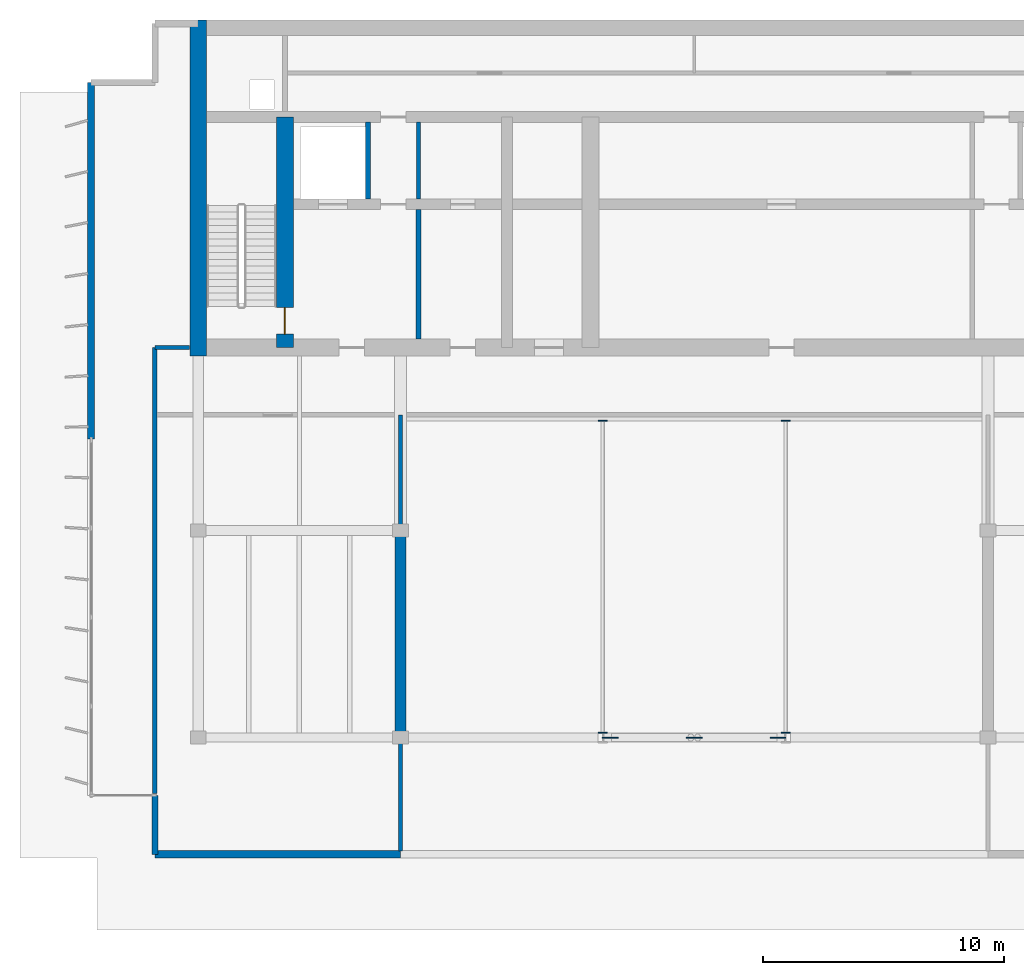
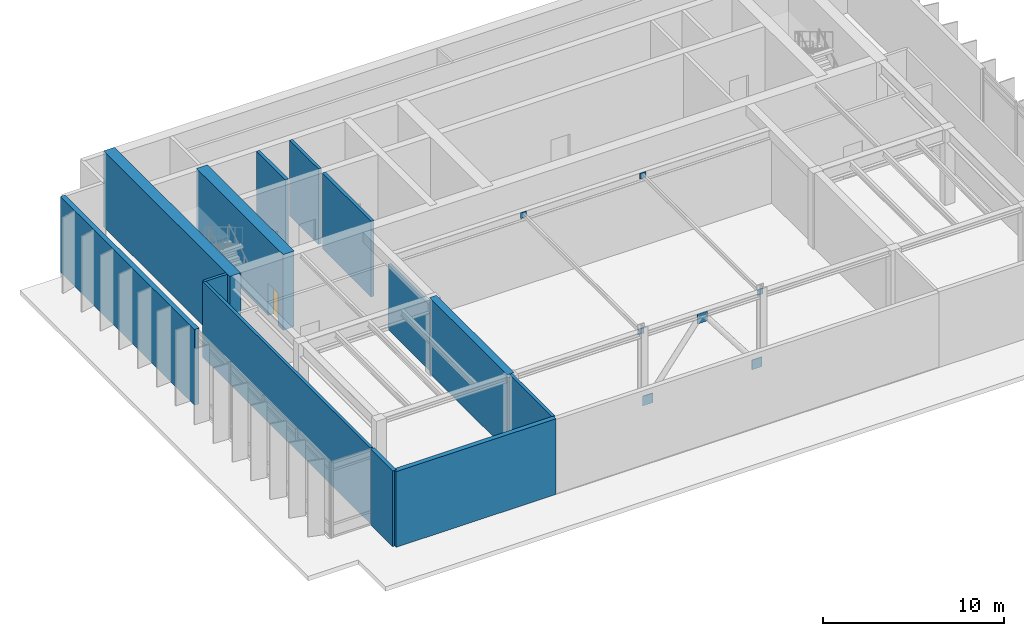
# One storey, part 5 of 10: 13 walls, 7 plates, 1 door, 1 opening.
"""IFC4 building model written with IfcOpenShell, lengths in metres."""

import ifcopenshell
import ifcopenshell.guid

model = None  # the IFC model being written
_history = None  # IfcOwnerHistory: only IFC2X3 demands one
_inside = {}  # id of a spatial element -> (the spatial element, [elements in it])
_under = {}  # id of a project, library or spatial element -> (it, [spatial elements below it])
_declared = {}  # id of a project -> (the project, [libraries it declares])
_typed = {}  # id of a type object -> (the type object, [elements of that type])
_made_of = {}  # id of a material, layer set ... -> (it, [elements and type objects made of it])


def new_model(schema):
    """Start an empty IFC model of exactly this schema.

    Asked for "IFC4X3", IfcOpenShell would pick the latest addendum, in which some entities
    have other attributes; the version numbers below select the first issue.
    IFC2X3 requires an IfcOwnerHistory on every rooted entity: one is made here for all.
    """
    global model, _history
    if schema == "IFC4X3":
        model = ifcopenshell.file(schema_version=(4, 3, 0, 0))
    else:
        model = ifcopenshell.file(schema=schema)
    _inside.clear()
    _under.clear()
    _declared.clear()
    _typed.clear()
    _made_of.clear()
    _history = None
    if model.schema == "IFC2X3":
        org = make("IfcOrganization", Name="unknown")
        user = make(
            "IfcPersonAndOrganization",
            ThePerson=make("IfcPerson", FamilyName="unknown"),
            TheOrganization=org,
        )
        app = make(
            "IfcApplication",
            ApplicationDeveloper=org,
            Version="unknown",
            ApplicationFullName="unknown",
            ApplicationIdentifier="unknown",
        )
        _history = make(
            "IfcOwnerHistory",
            OwningUser=user,
            OwningApplication=app,
            ChangeAction="ADDED",
            CreationDate=0,
        )
    return model


def make(cls, **values):
    """One entity of the class cls with the attributes given. An attribute that is None is left unset."""
    return model.create_entity(
        cls, **{name: value for name, value in values.items() if value is not None}
    )


def rooted(cls, **values):
    """An entity with a GlobalId (a new one), such as an element, a storey or a relation."""
    return make(cls, GlobalId=ifcopenshell.guid.new(), OwnerHistory=_history, **values)


def si_unit(unit_type, name, prefix=None):
    """IfcSIUnit, for example si_unit("LENGTHUNIT", "METRE", prefix="MILLI")."""
    return make("IfcSIUnit", UnitType=unit_type, Prefix=prefix, Name=name)


def assignment(units):
    """IfcUnitAssignment: the units of a project."""
    return None if units is None else make("IfcUnitAssignment", Units=units)


def point(xyz):
    """IfcCartesianPoint."""
    return None if xyz is None else make("IfcCartesianPoint", Coordinates=xyz)


def direction(xyz):
    """IfcDirection."""
    return None if xyz is None else make("IfcDirection", DirectionRatios=xyz)


def frame(location, z_axis=None, x_axis=None):
    """IfcAxis2Placement3D, a coordinate frame: its origin and axes. An axis left out is left unset."""
    return make(
        "IfcAxis2Placement3D",
        Location=point(location),
        Axis=direction(z_axis),
        RefDirection=direction(x_axis),
    )


def frame_2d(location, x_axis=None):
    """IfcAxis2Placement2D, a coordinate frame in the plane: its origin and x axis."""
    return make(
        "IfcAxis2Placement2D", Location=point(location), RefDirection=direction(x_axis)
    )


def origin():
    """The frame at (0, 0, 0) with its axes left unset."""
    return frame((0.0, 0.0, 0.0))


def origin_2d():
    """The frame at (0, 0) in the plane with its x axis left unset."""
    return frame_2d((0.0, 0.0))


def place(relative_to, where):
    """IfcLocalPlacement: puts the frame where relative to a parent placement (None: the world)."""
    return make(
        "IfcLocalPlacement", PlacementRelTo=relative_to, RelativePlacement=where
    )


def context(
    kind, dimensions, precision=None, world=None, true_north=None, identifier=None
):
    """IfcGeometricRepresentationContext, for example the 3D "Model" context."""
    return make(
        "IfcGeometricRepresentationContext",
        ContextIdentifier=identifier,
        ContextType=kind,
        CoordinateSpaceDimension=dimensions,
        Precision=precision,
        WorldCoordinateSystem=world,
        TrueNorth=true_north,
    )


def subcontext(parent, identifier, kind, view, scale=None):
    """IfcGeometricRepresentationSubContext, for example "Body" below "Model"."""
    return make(
        "IfcGeometricRepresentationSubContext",
        ContextIdentifier=identifier,
        ContextType=kind,
        ParentContext=parent,
        TargetScale=scale,
        TargetView=view,
    )


def project(units=None, contexts=None):
    """IfcProject with its units and contexts."""
    return rooted(
        "IfcProject",
        Name="project",
        RepresentationContexts=contexts,
        UnitsInContext=assignment(units),
    )


def spatial(cls, under=None, at=None, **own):
    """A site, building, storey or space (cls), placed at a placement, below another one or the project."""
    s = rooted(cls, ObjectPlacement=at, **own)
    if under is not None:
        _under.setdefault(under.id(), (under, []))[1].append(s)
    return s


def profile(cls, at=None, kind="AREA", **sizes):
    """A parametric profile (cls). Its sizes go by their IFC names, for example OverallWidth=200.0."""
    return make(cls, ProfileType=kind, Position=at, **sizes)


def rectangle(**sizes):
    """IfcRectangleProfileDef."""
    return profile("IfcRectangleProfileDef", **sizes)


def extrude(swept, where, along, depth):
    """IfcExtrudedAreaSolid: the profile swept, set in the frame where, extruded along a direction by depth."""
    return make(
        "IfcExtrudedAreaSolid",
        SweptArea=swept,
        Position=where,
        ExtrudedDirection=direction(along),
        Depth=depth,
    )


def shape(context_of_items, identifier, shape_type, items):
    """IfcShapeRepresentation: the items that make up one representation, for example the "Body"."""
    return make(
        "IfcShapeRepresentation",
        ContextOfItems=context_of_items,
        RepresentationIdentifier=identifier,
        RepresentationType=shape_type,
        Items=items,
    )


def material(Name=None, Category=None):
    """IfcMaterial."""
    return make("IfcMaterial", Name=Name, Category=Category)


def layer(
    of_material, thickness, ventilated=None, Name=None, Category=None, Priority=None
):
    """IfcMaterialLayer: one layer of a wall or slab, of a material (None: an air gap)."""
    return make(
        "IfcMaterialLayer",
        Material=of_material,
        LayerThickness=thickness,
        IsVentilated=ventilated,
        Name=Name,
        Category=Category,
        Priority=Priority,
    )


def layer_set(layers, Name=None):
    """IfcMaterialLayerSet."""
    return make("IfcMaterialLayerSet", MaterialLayers=layers, LayerSetName=Name)


def made_of(thing, what):
    """Note that an element or type object is made of a material, layer set ...; save() writes the relation."""
    if what is not None:
        _made_of.setdefault(what.id(), (what, []))[1].append(thing)
    return thing


def type_object(cls, material=None, **own):
    """A type object (cls), such as IfcWallType, which elements share."""
    return made_of(rooted(cls, **own), material)


def element(
    cls,
    number,
    at=None,
    inside=None,
    cuts=None,
    type_object=None,
    material=None,
    context=None,
    identifier="Body",
    shape_type=None,
    held_by="IfcProductDefinitionShape",
    body=None,
    shapes=None,
    **own,
):
    """One element of the class cls, such as IfcWall. Its Tag is "e" and its number.

    at: its placement. inside: the storey or other place that contains it. cuts: it is an
    opening in that element (IfcRelVoidsElement). A single representation is given by context,
    identifier, shape_type and body (its items); several are given by shapes. held_by: the class
    of the entity that holds the representations. save() writes the other relations.
    """
    e = rooted(cls, Tag="e%d" % number, ObjectPlacement=at, **own)
    if body is not None:
        shapes = [shape(context, identifier, shape_type, body)]
    if shapes is not None:
        e.Representation = make(held_by, Representations=shapes)
    if inside is not None:
        _inside.setdefault(inside.id(), (inside, []))[1].append(e)
    if cuts is not None:
        rooted(
            "IfcRelVoidsElement", RelatingBuildingElement=cuts, RelatedOpeningElement=e
        )
    if type_object is not None:
        _typed.setdefault(type_object.id(), (type_object, []))[1].append(e)
    return made_of(e, material)


def fill(opening, filler):
    """IfcRelFillsElement: the door or window that sits in an opening."""
    return rooted(
        "IfcRelFillsElement",
        RelatingOpeningElement=opening,
        RelatedBuildingElement=filler,
    )


def aggregate(whole, parts):
    """IfcRelAggregates: a whole, such as a stair, and the parts it consists of."""
    return rooted("IfcRelAggregates", RelatingObject=whole, RelatedObjects=parts)


def save(model, path):
    """Write the relations noted so far, then the file.

    IfcRelAggregates (storeys below a building ...), IfcRelContainedInSpatialStructure (elements
    in a storey), IfcRelDefinesByType, IfcRelAssociatesMaterial and IfcRelDeclares: one each for
    every whole, place, type object, material and project.
    """
    for whole, parts in _under.values():
        aggregate(whole, parts)
    for where, things in _inside.values():
        rooted(
            "IfcRelContainedInSpatialStructure",
            RelatedElements=things,
            RelatingStructure=where,
        )
    for kind, things in _typed.values():
        rooted("IfcRelDefinesByType", RelatedObjects=things, RelatingType=kind)
    for what, things in _made_of.values():
        rooted("IfcRelAssociatesMaterial", RelatedObjects=things, RelatingMaterial=what)
    for by, libraries in _declared.values():
        rooted("IfcRelDeclares", RelatingContext=by, RelatedDefinitions=libraries)
    model.write(path)


model = new_model("IFC4")

# Units and contexts
model_context = context("Model", 3, precision=1e-05, world=origin(), true_north=direction((0.0, 1.0)))
body_context = subcontext(model_context, "Body", "Model", "MODEL_VIEW")
ifc_project = project(units=[si_unit("LENGTHUNIT", "METRE"), si_unit("AREAUNIT", "SQUARE_METRE"), si_unit("VOLUMEUNIT", "CUBIC_METRE"), si_unit("PLANEANGLEUNIT", "RADIAN"), si_unit("MASSUNIT", "GRAM", prefix="KILO")], contexts=[model_context])

# Site, building, storey
site_placement = place(None, origin())
site = spatial("IfcSite", under=ifc_project, at=site_placement, CompositionType="ELEMENT")
building_placement = place(site_placement, origin())
building = spatial("IfcBuilding", under=site, at=building_placement, Name="Caelmar Bay Residences", CompositionType="ELEMENT")
storey_placement = place(building_placement, frame((0.0, 0.0, 279.39990234375)))
storey = spatial("IfcBuildingStorey", under=building, at=storey_placement, Name="L78", CompositionType="ELEMENT", Elevation=279.39990234375)

# Plates
ifc_material_1 = material(Name="Steel ASTM A572 Grade 50", Category="steel")
ifc_layer_1 = layer(ifc_material_1, 0.044921875)
ifc_layer_set_1 = layer_set([ifc_layer_1], Name="Steel ASTM A572 Grade 50")
plate_type_1 = type_object("IfcPlateType", Name="PLT-CAP-45", PredefinedType="USERDEFINED", material=ifc_layer_set_1)
for number, where, z_axis, x_axis, name in (
    (1, (35.10009765625, 21.007080078125, 4.710205078125), (0.0, 0.0, 1.0), (1.0, 0.0, 0.0), "L78 Hollow-Section End-Cap Plate PLT-TIECAP-S1"),
    (2, (35.10009765625, 33.949951171875, 4.710205078125), (0.0, 0.0, 1.0), (1.0, 0.0, 0.0), "L78 Hollow-Section End-Cap Plate PLT-TIECAP-N1"),
    (3, (42.699951171875, 21.007080078125, 4.710205078125), (0.0, 0.0, 1.0), (1.0, 0.0, 0.0), "L78 Hollow-Section End-Cap Plate PLT-TIECAP-S2"),
    (4, (42.699951171875, 33.949951171875, 4.710205078125), (0.0, 0.0, 1.0), (1.0, 0.0, 0.0), "L78 Hollow-Section End-Cap Plate PLT-TIECAP-N2"),
):
    element("IfcPlate", number, at=place(storey_placement, frame(where, z_axis=z_axis, x_axis=x_axis)), inside=storey, type_object=plate_type_1, Name=name, ObjectType="CAP_PLATE", PredefinedType="USERDEFINED", context=body_context, shape_type="SweptSolid", body=[
        extrude(rectangle(XDim=0.3798828125, YDim=0.044921875, at=origin_2d()), origin(), (0.0, 0.0, 1.0), 0.3798828125),
    ])
ifc_layer_2 = layer(ifc_material_1, 0.044921875)
ifc_layer_set_2 = layer_set([ifc_layer_2], Name="Steel ASTM A572 Grade 50")
plate_type_2 = type_object("IfcPlateType", Name="PLT-GUS-45", PredefinedType="USERDEFINED", material=ifc_layer_set_2)
for number, where, z_axis, x_axis, name in (
    (5, (35.41552734375, 20.800048828125, -0.0048828125), (0.0, 0.0, 1.0), (1.0, 0.0, 0.0), "L78 Structural Node Gusset Plate PLT-PRT-L78L"),
    (6, (42.384521484375, 20.800048828125, -0.0048828125), (0.0, 0.0, 1.0), (1.0, 0.0, 0.0), "L78 Structural Node Gusset Plate PLT-PRT-L78R"),
    (7, (38.89990234375, 20.800048828125, 4.297119140625), (0.0, 0.0, 1.0), (1.0, 0.0, 0.0), "L78 Structural Node Gusset Plate PLT-PRT-L78"),
):
    element("IfcPlate", number, at=place(storey_placement, frame(where, z_axis=z_axis, x_axis=x_axis)), inside=storey, type_object=plate_type_2, Name=name, ObjectType="GUSSET_PLATE", PredefinedType="USERDEFINED", context=body_context, shape_type="SweptSolid", body=[
        extrude(rectangle(XDim=0.64990234375, YDim=0.044921875, at=origin_2d()), origin(), (0.0, 0.0, 1.0), 0.64990234375),
    ])

# Wall
ifc_material_2 = material(Name="Concrete f'c 55 MPa (8,000 psi)", Category="concrete")
ifc_layer_3 = layer(ifc_material_2, 0.699951171875)
ifc_layer_set_3 = layer_set([ifc_layer_3], Name="Concrete f'c 55 MPa (8,000 psi)")
wall_type_1 = type_object("IfcWallType", Name="SW-COR-700", PredefinedType="SHEAR", material=ifc_layer_set_3)
wall_1_placement = place(storey_placement, frame((18.300048828125, 36.64990234375, 0.0), z_axis=(0.0, 0.0, 1.0), x_axis=(0.0, 1.0, 0.0)))
element("IfcWall", 8, at=wall_1_placement, inside=storey, type_object=wall_type_1, Name="L78 Rear Core West Shear Wall", PredefinedType="SHEAR", context=body_context, shape_type="SweptSolid", body=[
    extrude(rectangle(XDim=13.9501953125, YDim=0.699951171875, at=frame_2d((6.97509765625, 0.0))), origin(), (0.0, 0.0, 1.0), 5.10009765625),
])

# Wall, opening, door
wall_2_placement = place(storey_placement, frame((21.89990234375, 37.0, 0.0), z_axis=(0.0, 0.0, 1.0), x_axis=(0.0, 1.0, 0.0)))
wall_2 = element("IfcWall", 9, at=wall_2_placement, inside=storey, type_object=wall_type_1, Name="L78 Core Structural Web Wall ST1E", PredefinedType="SHEAR", context=body_context, shape_type="SweptSolid", body=[
    extrude(rectangle(XDim=9.574951171875, YDim=0.699951171875, at=frame_2d((4.78759765625, 0.0))), origin(), (0.0, 0.0, 1.0), 5.10009765625),
])
opening_placement = place(wall_2_placement, frame((0.550048828125, 0.0, 0.0)))
opening = element("IfcOpeningElement", 10, at=opening_placement, cuts=wall_2, Name="Opening D-L78-105", PredefinedType="OPENING", context=body_context, shape_type="SweptSolid", body=[
    extrude(rectangle(XDim=1.10009765625, YDim=2.14990234375, at=frame_2d((0.550048828125, 1.074951171875))), frame((0.0, 0.35986328125, 0.0), z_axis=(0.0, -1.0, 0.0), x_axis=(1.0, 0.0, 0.0)), (0.0, 0.0, 1.0), 0.719970703125),
])
ifc_material_3 = material(Name="Fire-rated steel and walnut architectural door assembly", Category="steel")
ifc_layer_4 = layer(ifc_material_3, 0.050048828125)
ifc_layer_set_4 = layer_set([ifc_layer_4], Name="Fire-rated steel and walnut architectural door assembly")
door_type = type_object("IfcDoorType", Name="D-STAIR-1100", OperationType="NOTDEFINED", PredefinedType="DOOR", material=ifc_layer_set_4)
door_placement = place(opening_placement, origin())
door = element("IfcDoor", 11, at=door_placement, inside=storey, type_object=door_type, Name="L78 Firefighting Lobby West Door", OperationType="SINGLE_SWING_LEFT", OverallHeight=2.14990234375, OverallWidth=1.10009765625, PredefinedType="DOOR", context=body_context, shape_type="SweptSolid", body=[
    extrude(rectangle(XDim=1.10009765625, YDim=2.14990234375, at=frame_2d((0.550048828125, 1.074951171875))), frame((0.0, 0.02490234375, 0.0), z_axis=(0.0, -1.0, 0.0), x_axis=(1.0, 0.0, 0.0)), (0.0, 0.0, 1.0), 0.050048828125),
])
fill(opening, door)

# Walls
ifc_layer_5 = layer(ifc_material_2, 0.449951171875)
ifc_layer_set_5 = layer_set([ifc_layer_5], Name="Concrete f'c 55 MPa (8,000 psi)")
wall_type_2 = type_object("IfcWallType", Name="SW-XSLB-450", PredefinedType="SHEAR", material=ifc_layer_set_5)
wall_3_placement = place(storey_placement, frame((26.699951171875, 20.800048828125, 0.0), z_axis=(0.0, 0.0, 1.0), x_axis=(0.0, 1.0, 0.0)))
element("IfcWall", 12, at=wall_3_placement, inside=storey, type_object=wall_type_2, Name="L78 Transverse Cross-Slab Shear Wall W5", PredefinedType="SHEAR", context=body_context, shape_type="SweptSolid", body=[
    extrude(rectangle(XDim=8.599853515625, YDim=0.449951171875, at=frame_2d((4.2998046875, 0.0))), origin(), (0.0, 0.0, 1.0), 5.10009765625),
])
ifc_material_4 = material(Name="Double-stud acoustic fire-rated gypsum partition 180 mm")
ifc_layer_6 = layer(ifc_material_4, 0.179931640625)
ifc_layer_set_6 = layer_set([ifc_layer_6], Name="Double-stud acoustic fire-rated gypsum partition 180 mm")
wall_type_3 = type_object("IfcWallType", Name="W-COR-200", PredefinedType="PARTITIONING", material=ifc_layer_set_6)
wall_4_placement = place(storey_placement, frame((16.5, 18.485107421875, 0.0), z_axis=(0.0, 0.0, 1.0), x_axis=(0.0, 1.0, 0.0)))
element("IfcWall", 13, at=wall_4_placement, inside=storey, type_object=wall_type_3, Name="L78 Partition Wall V001", PredefinedType="PARTITIONING", context=body_context, shape_type="SweptSolid", body=[
    extrude(rectangle(XDim=18.514892578125, YDim=0.179931640625, at=frame_2d((9.25732421875, 0.0))), origin(), (0.0, 0.0, 1.0), 5.10009765625),
])
wall_5_placement = place(storey_placement, frame((26.699951171875, 16.094970703125, 0.0), z_axis=(0.0, 0.0, 1.0), x_axis=(0.0, 1.0, 0.0)))
element("IfcWall", 14, at=wall_5_placement, inside=storey, type_object=wall_type_3, Name="L78 Partition Wall V004", PredefinedType="PARTITIONING", context=body_context, shape_type="SweptSolid", body=[
    extrude(rectangle(XDim=4.699951171875, YDim=0.179931640625, at=frame_2d((2.35009765625, 0.0))), origin(), (0.0, 0.0, 1.0), 5.10009765625),
])
wall_6_placement = place(storey_placement, frame((26.699951171875, 29.405029296875, 0.0), z_axis=(0.0, 0.0, 1.0), x_axis=(0.0, 1.0, 0.0)))
element("IfcWall", 15, at=wall_6_placement, inside=storey, type_object=wall_type_3, Name="L78 Partition Wall V005", PredefinedType="PARTITIONING", context=body_context, shape_type="SweptSolid", body=[
    extrude(rectangle(XDim=4.794921875, YDim=0.179931640625, at=frame_2d((2.3974609375, 0.0))), origin(), (0.0, 0.0, 1.0), 4.385009765625),
])
wall_7_placement = place(storey_placement, frame((27.449951171875, 43.169921875, 0.0), z_axis=(0.0, 0.0, 1.0), x_axis=(0.0, 1.0, 0.0)))
element("IfcWall", 16, at=wall_7_placement, inside=storey, type_object=wall_type_3, Name="L78 Partition Wall V007", PredefinedType="PARTITIONING", context=body_context, shape_type="SweptSolid", body=[
    extrude(rectangle(XDim=3.18505859375, YDim=0.179931640625, at=frame_2d((1.592529296875, 0.0))), origin(), (0.0, 0.0, 1.0), 5.10009765625),
])
wall_8_placement = place(storey_placement, frame((16.5, 37.0, 0.0), z_axis=(0.0, 0.0, 1.0), x_axis=(1.0, 0.0, 0.0)))
element("IfcWall", 17, at=wall_8_placement, inside=storey, type_object=wall_type_3, Name="L78 Partition Wall H017", PredefinedType="PARTITIONING", context=body_context, shape_type="SweptSolid", body=[
    extrude(rectangle(XDim=1.445068359375, YDim=0.179931640625, at=frame_2d((0.72265625, 0.0))), origin(), (0.0, 0.0, 1.0), 5.10009765625),
])
ifc_material_5 = material(Name="Precast concrete f'c 40 MPa (6,000 psi)", Category="concrete")
ifc_layer_7 = layer(ifc_material_5, 0.25)
ifc_layer_set_7 = layer_set([ifc_layer_7], Name="Precast concrete f'c 40 MPa (6,000 psi)")
wall_type_4 = type_object("IfcWallType", Name="W-EXT-250", PredefinedType="ELEMENTEDWALL", material=ifc_layer_set_7)
wall_9_placement = place(storey_placement, frame((16.5, 18.39990234375, 0.0), z_axis=(0.0, 0.0, 1.0), x_axis=(0.0, -1.0, 0.0)))
element("IfcWall", 18, at=wall_9_placement, inside=storey, type_object=wall_type_4, Name="L78 SW Notch Return Wall", PredefinedType="ELEMENTEDWALL", context=body_context, shape_type="SweptSolid", body=[
    extrude(rectangle(XDim=2.449951171875, YDim=0.25, at=frame_2d((1.22509765625, 0.0))), origin(), (0.0, 0.0, 1.0), 5.10009765625),
])
ifc_layer_8 = layer(ifc_material_5, 0.300048828125)
ifc_layer_set_8 = layer_set([ifc_layer_8], Name="Precast concrete f'c 40 MPa (6,000 psi)")
wall_type_5 = type_object("IfcWallType", Name="W-EXT-300", PredefinedType="STANDARD", material=ifc_layer_set_8)
wall_10_placement = place(storey_placement, frame((26.699951171875, 15.949951171875, 0.0), z_axis=(0.0, 0.0, 1.0), x_axis=(-1.0, 0.0, 0.0)))
element("IfcWall", 19, at=wall_10_placement, inside=storey, type_object=wall_type_5, Name="L78 South-West Crown Wall", PredefinedType="STANDARD", context=body_context, shape_type="SweptSolid", body=[
    extrude(rectangle(XDim=10.199951171875, YDim=0.300048828125, at=frame_2d((5.10009765625, 0.0))), origin(), (0.0, 0.0, 1.0), 5.10009765625),
])
wall_11_placement = place(storey_placement, frame((13.85009765625, 33.199951171875, 0.0), z_axis=(0.0, 0.0, 1.0), x_axis=(0.0, 1.0, 0.0)))
element("IfcWall", 20, at=wall_11_placement, inside=storey, type_object=wall_type_5, Name="L78 West Rear Exterior Wall", PredefinedType="STANDARD", context=body_context, shape_type="SweptSolid", body=[
    extrude(rectangle(XDim=14.800048828125, YDim=0.300048828125, at=frame_2d((7.39990234375, 0.0))), origin(), (0.0, 0.0, 1.0), 5.10009765625),
])
ifc_material_6 = material(Name="Fire-rated masonry and gypsum shaftliner assembly 200 mm", Category="masonry")
ifc_layer_9 = layer(ifc_material_6, 0.199951171875)
ifc_layer_set_9 = layer_set([ifc_layer_9], Name="Fire-rated masonry and gypsum shaftliner assembly 200 mm")
wall_type_6 = type_object("IfcWallType", Name="W-FSAE-200", PredefinedType="PARTITIONING", material=ifc_layer_set_9)
wall_12_placement = place(storey_placement, frame((25.35009765625, 43.169921875, 0.0), z_axis=(0.0, 0.0, 1.0), x_axis=(0.0, 1.0, 0.0)))
element("IfcWall", 21, at=wall_12_placement, inside=storey, type_object=wall_type_6, Name="L78 Partition Wall V003", PredefinedType="PARTITIONING", context=body_context, shape_type="SweptSolid", body=[
    extrude(rectangle(XDim=3.18505859375, YDim=0.199951171875, at=frame_2d((1.592529296875, 0.0))), origin(), (0.0, 0.0, 1.0), 5.10009765625),
])
wall_13_placement = place(storey_placement, frame((27.449951171875, 37.344970703125, 0.0), z_axis=(0.0, 0.0, 1.0), x_axis=(0.0, 1.0, 0.0)))
element("IfcWall", 22, at=wall_13_placement, inside=storey, type_object=wall_type_6, Name="L78 Partition Wall V006", PredefinedType="PARTITIONING", context=body_context, shape_type="SweptSolid", body=[
    extrude(rectangle(XDim=5.385009765625, YDim=0.199951171875, at=frame_2d((2.6923828125, 0.0))), origin(), (0.0, 0.0, 1.0), 5.10009765625),
])

save(model, "model.ifc")
